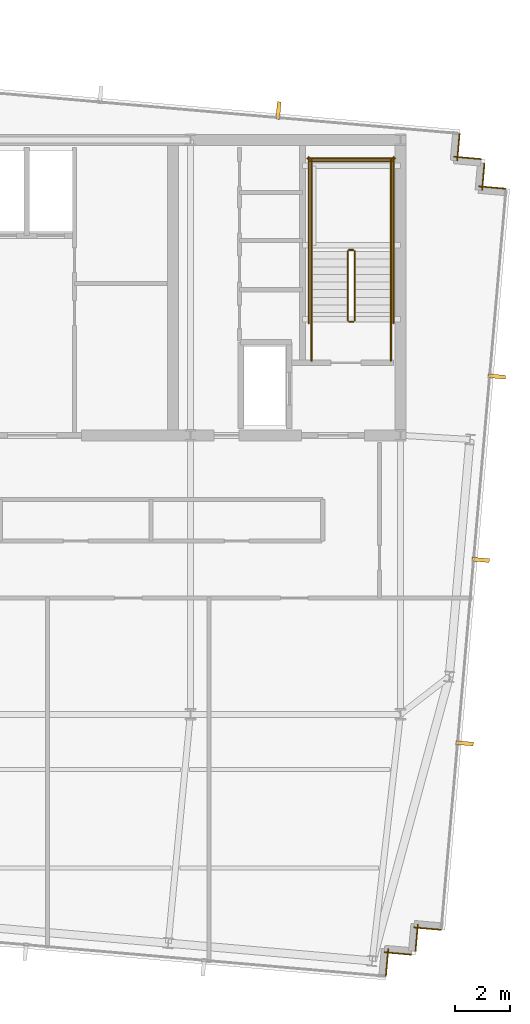
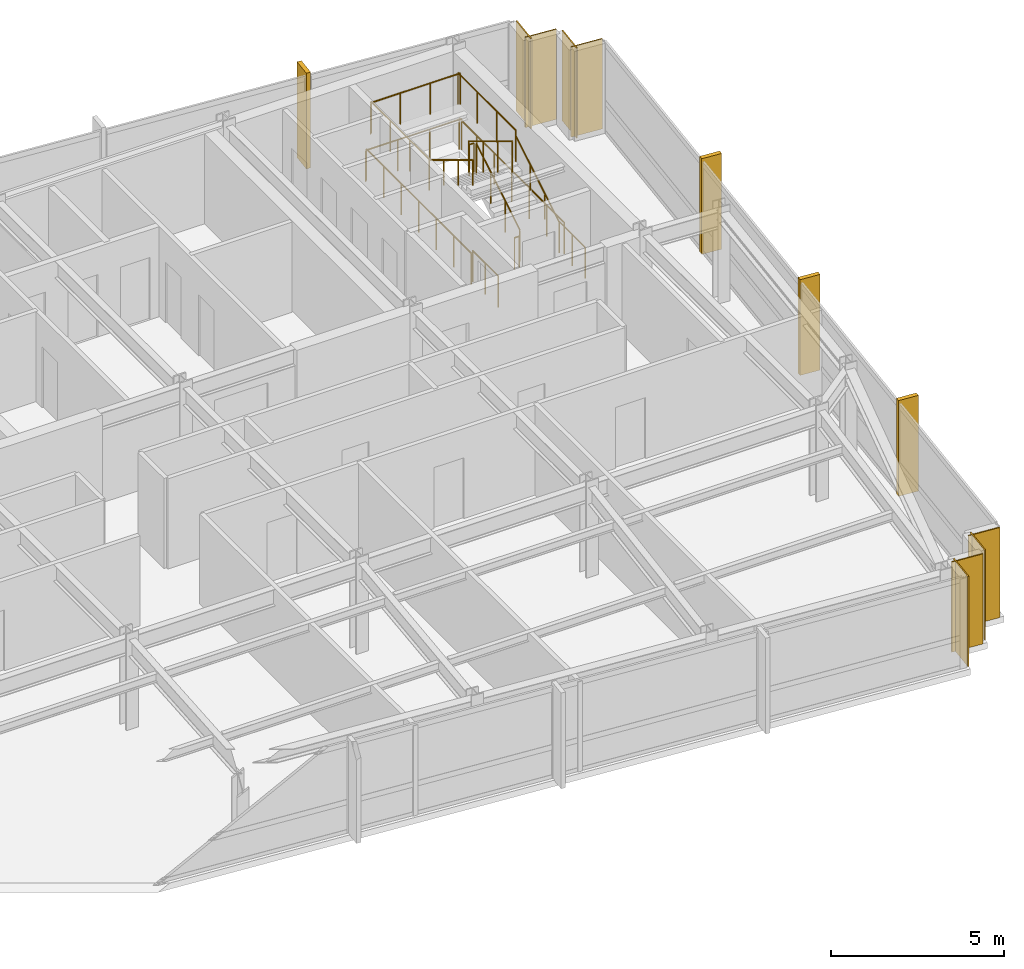
# One storey, part 23 of 24: 14 railings, 8 coverings, 4 shading devices.
"""IFC4 building model written with IfcOpenShell, lengths in metres."""

from ifc_helpers import new_model, si_unit, direction, frame, frame_2d, origin, origin_2d, place, context, subcontext, project, spatial, rectangle, circle, extrude, material, layer, layer_set, type_object, element, save


model = new_model("IFC4")

# Units and contexts
model_context = context("Model", 3, precision=1e-05, world=origin(), true_north=direction((0.0, 1.0)))
body_context = subcontext(model_context, "Body", "Model", "MODEL_VIEW")
ifc_project = project(units=[si_unit("LENGTHUNIT", "METRE"), si_unit("AREAUNIT", "SQUARE_METRE"), si_unit("VOLUMEUNIT", "CUBIC_METRE"), si_unit("PLANEANGLEUNIT", "RADIAN"), si_unit("MASSUNIT", "GRAM", prefix="KILO")], contexts=[model_context])

# Site, building, storey
site_placement = place(None, origin())
site = spatial("IfcSite", under=ifc_project, at=site_placement, CompositionType="ELEMENT")
building_placement = place(site_placement, origin())
building = spatial("IfcBuilding", under=site, at=building_placement, Name="Yelkora Congress Tower", CompositionType="ELEMENT")
storey_placement = place(building_placement, frame((0.0, 0.0, 296.5)))
storey = spatial("IfcBuildingStorey", under=building, at=storey_placement, Name="L83", CompositionType="ELEMENT", Elevation=296.5)

# Coverings
ifc_material_1 = material(Name="Anatolian bush-hammered limestone", Category="masonry")
ifc_layer_1 = layer(ifc_material_1, 0.0400390625)
ifc_layer_set_1 = layer_set([ifc_layer_1], Name="Anatolian bush-hammered limestone")
covering_type = type_object("IfcCoveringType", Name="COV-CLAD-SPANDREL-40", PredefinedType="CLADDING", material=ifc_layer_set_1)
for number, where, z_axis, x_axis, name in (
    (1, (55.92041015625, 46.431396484375, 0.0), (0.0, 0.0, 1.0), (-0.086903493655, -0.996216734848, 0.0), "L83 Anatolian Limestone Cladding EW-L83-SR11"),
    (2, (55.710693359375, 45.581298828125, 0.0), (0.0, 0.0, 1.0), (0.996193717496, -0.087166950281, 0.0), "L83 Anatolian Limestone Cladding EW-L83-SR12"),
    (3, (56.82958984375, 45.347900390625, 0.0), (0.0, 0.0, 1.0), (-0.087166950281, -0.996193717496, 0.0), "L83 Anatolian Limestone Cladding EW-L83-SR13"),
):
    element("IfcCovering", number, at=place(storey_placement, frame(where, z_axis=z_axis, x_axis=x_axis)), inside=storey, type_object=covering_type, Name=name, PredefinedType="CLADDING", context=body_context, shape_type="SweptSolid", body=[
        extrude(rectangle(XDim=1.0, YDim=0.0400390625, at=frame_2d((0.5, 0.0))), origin(), (0.0, 0.0, 1.0), 3.179931640625),
    ])
covering_1_placement = place(storey_placement, frame((56.61962890625, 44.498046875, 0.0), z_axis=(0.0, 0.0, 1.0), x_axis=(0.996195572005, -0.087145753297, 0.0)))
element("IfcCovering", 4, at=covering_1_placement, inside=storey, type_object=covering_type, Name="L83 Anatolian Limestone Cladding EW-L83-SR14", PredefinedType="CLADDING", context=body_context, shape_type="SweptSolid", body=[
    extrude(rectangle(XDim=1.000244140625, YDim=0.0400390625, at=frame_2d((0.5, 0.0))), origin(), (0.0, 0.0, 1.0), 3.179931640625),
])
for number, where, z_axis, x_axis, name in (
    (5, (55.24609375, 17.32421875, 0.0), (0.0, 0.0, 1.0), (-0.99617248636, 0.08740925248, 0.0), "L83 Anatolian Limestone Cladding EW-L83-SR16"),
    (6, (54.396240234375, 17.5341796875, 0.0), (0.0, 0.0, 1.0), (-0.087166950281, -0.996193717496, 0.0), "L83 Anatolian Limestone Cladding EW-L83-SR17"),
):
    element("IfcCovering", number, at=place(storey_placement, frame(where, z_axis=z_axis, x_axis=x_axis)), inside=storey, type_object=covering_type, Name=name, PredefinedType="CLADDING", context=body_context, shape_type="SweptSolid", body=[
        extrude(rectangle(XDim=1.0, YDim=0.0400390625, at=frame_2d((0.5, 0.0))), origin(), (0.0, 0.0, 1.0), 3.179931640625),
    ])
covering_2_placement = place(storey_placement, frame((54.162841796875, 16.415283203125, 0.0), z_axis=(0.0, 0.0, 1.0), x_axis=(-0.996195572005, 0.087145753297, 0.0)))
element("IfcCovering", 7, at=covering_2_placement, inside=storey, type_object=covering_type, Name="L83 Anatolian Limestone Cladding EW-L83-SR18", PredefinedType="CLADDING", context=body_context, shape_type="SweptSolid", body=[
    extrude(rectangle(XDim=1.000244140625, YDim=0.0400390625, at=frame_2d((0.5, 0.0))), origin(), (0.0, 0.0, 1.0), 3.179931640625),
])
covering_3_placement = place(storey_placement, frame((53.312744140625, 16.625, 0.0), z_axis=(0.0, 0.0, 1.0), x_axis=(-0.087166950281, -0.996193717496, 0.0)))
element("IfcCovering", 8, at=covering_3_placement, inside=storey, type_object=covering_type, Name="L83 Anatolian Limestone Cladding EW-L83-SR19", PredefinedType="CLADDING", context=body_context, shape_type="SweptSolid", body=[
    extrude(rectangle(XDim=1.0, YDim=0.0400390625, at=frame_2d((0.5, 0.0))), origin(), (0.0, 0.0, 1.0), 3.179931640625),
])

# Railings
ifc_material_2 = material(Name="Painted galvanised steel stair well guard with vertical infill", Category="steel")
ifc_layer_2 = layer(ifc_material_2, 0.06005859375)
ifc_layer_set_2 = layer_set([ifc_layer_2], Name="Painted galvanised steel stair well guard with vertical infill")
railing_type_1 = type_object("IfcRailingType", Name="RAIL-STAIR-GUARD-1120", PredefinedType="GUARDRAIL", material=ifc_layer_set_2)
railing_1_placement = place(storey_placement, frame((52.090087890625, 39.60009765625, 0.169921875)))
element("IfcRailing", 9, at=railing_1_placement, inside=storey, type_object=railing_type_1, Name="ST-02 L83 Stair Well Guardrail 1", PredefinedType="GUARDRAIL", context=body_context, shape_type="SweptSolid", body=[
    extrude(circle(Radius=0.02392578125, at=origin_2d()), frame((0.0, 0.0, 1.09619140625), z_axis=(0.0, 0.85478489116, 0.518982456201), x_axis=(-1.0, 0.0, 0.0)), (0.0, 0.0, 1.0), 2.9482421875),
    extrude(circle(Radius=0.02099609375, at=origin_2d()), origin(), (0.0, 0.0, 1.0), 1.072021484375),
    extrude(circle(Radius=0.02099609375, at=origin_2d()), frame((0.0, 0.840087890625, 0.510009765625)), (0.0, 0.0, 1.0), 1.072021484375),
    extrude(circle(Radius=0.02099609375, at=origin_2d()), frame((0.0, 1.679931640625, 1.02001953125)), (0.0, 0.0, 1.0), 1.072021484375),
    extrude(circle(Radius=0.02099609375, at=origin_2d()), frame((0.0, 2.52001953125, 1.530029296875)), (0.0, 0.0, 1.0), 1.072021484375),
])
railing_2_placement = place(storey_placement, frame((52.0400390625, 42.169921875, 1.699951171875)))
element("IfcRailing", 10, at=railing_2_placement, inside=storey, type_object=railing_type_1, Name="ST-02 L83 Stair Well Guardrail 2", PredefinedType="GUARDRAIL", context=body_context, shape_type="SweptSolid", body=[
    extrude(circle(Radius=0.02392578125, at=origin_2d()), frame((0.0, 0.0, 1.09619140625), z_axis=(-1.0, 0.0, 0.0), x_axis=(0.0, -1.0, 0.0)), (0.0, 0.0, 1.0), 0.16015625),
    extrude(circle(Radius=0.02099609375, at=origin_2d()), origin(), (0.0, 0.0, 1.0), 1.072021484375),
    extrude(circle(Radius=0.02099609375, at=origin_2d()), frame((-0.16015625, 0.0, 0.0)), (0.0, 0.0, 1.0), 1.072021484375),
])
for number, where, name in (
    (11, (53.409912109375, 42.1201171875, 1.699951171875), "ST-02 L83 Stair Well Guardrail 3"),
    (12, (50.510009765625, 42.1201171875, 1.699951171875), "ST-02 L83 Stair Well Guardrail 4"),
):
    element("IfcRailing", number, at=place(storey_placement, frame(where)), inside=storey, type_object=railing_type_1, Name=name, PredefinedType="GUARDRAIL", context=body_context, shape_type="SweptSolid", body=[
        extrude(circle(Radius=0.02392578125, at=origin_2d()), frame((0.0, 0.0, 1.09619140625), z_axis=(0.0, 1.0, 0.0), x_axis=(-1.0, 0.0, 0.0)), (0.0, 0.0, 1.0), 3.349853515625),
        extrude(circle(Radius=0.02099609375, at=origin_2d()), origin(), (0.0, 0.0, 1.0), 1.072021484375),
        extrude(circle(Radius=0.02099609375, at=origin_2d()), frame((0.0, 1.11669921875, 0.0)), (0.0, 0.0, 1.0), 1.072021484375),
        extrude(circle(Radius=0.02099609375, at=origin_2d()), frame((0.0, 2.233154296875, 0.0)), (0.0, 0.0, 1.0), 1.072021484375),
        extrude(circle(Radius=0.02099609375, at=origin_2d()), frame((0.0, 3.349853515625, 0.0)), (0.0, 0.0, 1.0), 1.072021484375),
    ])
railing_3_placement = place(storey_placement, frame((53.4599609375, 45.419921875, 1.699951171875)))
element("IfcRailing", 13, at=railing_3_placement, inside=storey, type_object=railing_type_1, Name="ST-02 L83 Stair Well Guardrail 5", PredefinedType="GUARDRAIL", context=body_context, shape_type="SweptSolid", body=[
    extrude(circle(Radius=0.02392578125, at=origin_2d()), frame((0.0, 0.0, 1.09619140625), z_axis=(-1.0, 0.0, 0.0), x_axis=(0.0, -1.0, 0.0)), (0.0, 0.0, 1.0), 3.0),
    extrude(circle(Radius=0.02099609375, at=origin_2d()), origin(), (0.0, 0.0, 1.0), 1.072021484375),
    extrude(circle(Radius=0.02099609375, at=origin_2d()), frame((-1.0, 0.0, 0.0)), (0.0, 0.0, 1.0), 1.072021484375),
    extrude(circle(Radius=0.02099609375, at=origin_2d()), frame((-2.0, 0.0, 0.0)), (0.0, 0.0, 1.0), 1.072021484375),
    extrude(circle(Radius=0.02099609375, at=origin_2d()), frame((-3.0, 0.0, 0.0)), (0.0, 0.0, 1.0), 1.072021484375),
])
railing_4_placement = place(storey_placement, frame((51.830078125, 42.1201171875, 1.8701171875)))
element("IfcRailing", 14, at=railing_4_placement, inside=storey, type_object=railing_type_1, Name="ST-02 L83 Stair Well Guardrail 6", PredefinedType="GUARDRAIL", context=body_context, shape_type="SweptSolid", body=[
    extrude(circle(Radius=0.02392578125, at=origin_2d()), frame((0.0, 0.0, 1.09619140625), z_axis=(0.0, -0.854821627497, 0.518921945155), x_axis=(1.0, 0.0, 0.0)), (0.0, 0.0, 1.0), 2.947998046875),
    extrude(circle(Radius=0.02099609375, at=origin_2d()), origin(), (0.0, 0.0, 1.0), 1.072021484375),
    extrude(circle(Radius=0.02099609375, at=origin_2d()), frame((0.0, -0.840087890625, 0.510009765625)), (0.0, 0.0, 1.0), 1.072021484375),
    extrude(circle(Radius=0.02099609375, at=origin_2d()), frame((0.0, -1.679931640625, 1.019775390625)), (0.0, 0.0, 1.0), 1.072021484375),
    extrude(circle(Radius=0.02099609375, at=origin_2d()), frame((0.0, -2.52001953125, 1.52978515625)), (0.0, 0.0, 1.0), 1.072021484375),
])
railing_5_placement = place(storey_placement, frame((52.0400390625, 39.550048828125, 0.0)))
element("IfcRailing", 15, at=railing_5_placement, inside=storey, type_object=railing_type_1, Name="ST-02 L83 Stair Well Guardrail 7", PredefinedType="GUARDRAIL", context=body_context, shape_type="SweptSolid", body=[
    extrude(circle(Radius=0.02392578125, at=origin_2d()), frame((0.0, 0.0, 1.09619140625), z_axis=(-1.0, 0.0, 0.0), x_axis=(0.0, -1.0, 0.0)), (0.0, 0.0, 1.0), 0.16015625),
    extrude(circle(Radius=0.02099609375, at=origin_2d()), origin(), (0.0, 0.0, 1.0), 1.072021484375),
    extrude(circle(Radius=0.02099609375, at=origin_2d()), frame((-0.16015625, 0.0, 0.0)), (0.0, 0.0, 1.0), 1.072021484375),
])
for number, where, name in (
    (16, (53.409912109375, 38.1201171875, 0.0), "ST-02 L83 Stair Well Guardrail 8"),
    (17, (50.510009765625, 38.1201171875, 0.0), "ST-02 L83 Stair Well Guardrail 9"),
):
    element("IfcRailing", number, at=place(storey_placement, frame(where)), inside=storey, type_object=railing_type_1, Name=name, PredefinedType="GUARDRAIL", context=body_context, shape_type="SweptSolid", body=[
        extrude(circle(Radius=0.02392578125, at=origin_2d()), frame((0.0, 0.0, 1.09619140625), z_axis=(0.0, 1.0, 0.0), x_axis=(-1.0, 0.0, 0.0)), (0.0, 0.0, 1.0), 1.47998046875),
        extrude(circle(Radius=0.02099609375, at=origin_2d()), origin(), (0.0, 0.0, 1.0), 1.072021484375),
        extrude(circle(Radius=0.02099609375, at=origin_2d()), frame((0.0, 0.739990234375, 0.0)), (0.0, 0.0, 1.0), 1.072021484375),
        extrude(circle(Radius=0.02099609375, at=origin_2d()), frame((0.0, 1.47998046875, 0.0)), (0.0, 0.0, 1.0), 1.072021484375),
    ])
for number, where, name in (
    (18, (53.510009765625, 39.5, 0.0), "ST-02 L83 Stair Well Guardrail 10"),
    (19, (50.409912109375, 39.5, 0.0), "ST-02 L83 Stair Well Guardrail 11"),
):
    element("IfcRailing", number, at=place(storey_placement, frame(where)), inside=storey, type_object=railing_type_1, Name=name, PredefinedType="GUARDRAIL", context=body_context, shape_type="SweptSolid", body=[
        extrude(circle(Radius=0.02392578125, at=origin_2d()), frame((0.0, 0.0, 1.09619140625), z_axis=(0.0, 1.0, 0.0), x_axis=(-1.0, 0.0, 0.0)), (0.0, 0.0, 1.0), 6.070068359375),
        extrude(circle(Radius=0.02099609375, at=origin_2d()), origin(), (0.0, 0.0, 1.0), 1.072021484375),
        extrude(circle(Radius=0.02099609375, at=origin_2d()), frame((0.0, 1.01171875, 0.0)), (0.0, 0.0, 1.0), 1.072021484375),
        extrude(circle(Radius=0.02099609375, at=origin_2d()), frame((0.0, 2.0234375, 0.0)), (0.0, 0.0, 1.0), 1.072021484375),
        extrude(circle(Radius=0.02099609375, at=origin_2d()), frame((0.0, 3.03515625, 0.0)), (0.0, 0.0, 1.0), 1.072021484375),
        extrude(circle(Radius=0.02099609375, at=origin_2d()), frame((0.0, 4.046630859375, 0.0)), (0.0, 0.0, 1.0), 1.072021484375),
        extrude(circle(Radius=0.02099609375, at=origin_2d()), frame((0.0, 5.058349609375, 0.0)), (0.0, 0.0, 1.0), 1.072021484375),
        extrude(circle(Radius=0.02099609375, at=origin_2d()), frame((0.0, 6.070068359375, 0.0)), (0.0, 0.0, 1.0), 1.072021484375),
    ])
railing_6_placement = place(storey_placement, frame((53.56005859375, 45.52001953125, 0.0)))
element("IfcRailing", 20, at=railing_6_placement, inside=storey, type_object=railing_type_1, Name="ST-02 L83 Stair Well Guardrail 12", PredefinedType="GUARDRAIL", context=body_context, shape_type="SweptSolid", body=[
    extrude(circle(Radius=0.02392578125, at=origin_2d()), frame((0.0, 0.0, 1.09619140625), z_axis=(-1.0, 0.0, 0.0), x_axis=(0.0, -1.0, 0.0)), (0.0, 0.0, 1.0), 3.199951171875),
    extrude(circle(Radius=0.02099609375, at=origin_2d()), origin(), (0.0, 0.0, 1.0), 1.072021484375),
    extrude(circle(Radius=0.02099609375, at=origin_2d()), frame((-1.066650390625, 0.0, 0.0)), (0.0, 0.0, 1.0), 1.072021484375),
    extrude(circle(Radius=0.02099609375, at=origin_2d()), frame((-2.13330078125, 0.0, 0.0)), (0.0, 0.0, 1.0), 1.072021484375),
    extrude(circle(Radius=0.02099609375, at=origin_2d()), frame((-3.199951171875, 0.0, 0.0)), (0.0, 0.0, 1.0), 1.072021484375),
])
ifc_material_3 = material(Name="Brushed stainless steel tubular handrail", Category="steel")
ifc_layer_3 = layer(ifc_material_3, 0.050048828125)
ifc_layer_set_3 = layer_set([ifc_layer_3], Name="Brushed stainless steel tubular handrail")
railing_type_2 = type_object("IfcRailingType", Name="RAIL-STAIR-HAND-920", PredefinedType="HANDRAIL", material=ifc_layer_set_3)
railing_7_placement = place(storey_placement, frame((53.409912109375, 39.60009765625, 0.169921875)))
element("IfcRailing", 21, at=railing_7_placement, inside=storey, type_object=railing_type_2, Name="ST-02 L83 Pitch Handrail 1", PredefinedType="HANDRAIL", context=body_context, shape_type="SweptSolid", body=[
    extrude(circle(Radius=0.02392578125, at=origin_2d()), frame((0.0, 0.0, 0.89599609375), z_axis=(0.0, 0.85478489116, 0.518982456201), x_axis=(-1.0, 0.0, 0.0)), (0.0, 0.0, 1.0), 2.9482421875),
    extrude(circle(Radius=0.02099609375, at=origin_2d()), origin(), (0.0, 0.0, 1.0), 0.871826171875),
    extrude(circle(Radius=0.02099609375, at=origin_2d()), frame((0.0, 0.840087890625, 0.510009765625)), (0.0, 0.0, 1.0), 0.871826171875),
    extrude(circle(Radius=0.02099609375, at=origin_2d()), frame((0.0, 1.679931640625, 1.02001953125)), (0.0, 0.0, 1.0), 0.871826171875),
    extrude(circle(Radius=0.02099609375, at=origin_2d()), frame((0.0, 2.52001953125, 1.530029296875)), (0.0, 0.0, 1.0), 0.871826171875),
])
railing_8_placement = place(storey_placement, frame((50.510009765625, 42.1201171875, 1.8701171875)))
element("IfcRailing", 22, at=railing_8_placement, inside=storey, type_object=railing_type_2, Name="ST-02 L83 Pitch Handrail 2", PredefinedType="HANDRAIL", context=body_context, shape_type="SweptSolid", body=[
    extrude(circle(Radius=0.02392578125, at=origin_2d()), frame((0.0, 0.0, 0.89599609375), z_axis=(0.0, -0.854821627497, 0.518921945155), x_axis=(1.0, 0.0, 0.0)), (0.0, 0.0, 1.0), 2.947998046875),
    extrude(circle(Radius=0.02099609375, at=origin_2d()), origin(), (0.0, 0.0, 1.0), 0.871826171875),
    extrude(circle(Radius=0.02099609375, at=origin_2d()), frame((0.0, -0.840087890625, 0.510009765625)), (0.0, 0.0, 1.0), 0.871826171875),
    extrude(circle(Radius=0.02099609375, at=origin_2d()), frame((0.0, -1.679931640625, 1.019775390625)), (0.0, 0.0, 1.0), 0.871826171875),
    extrude(circle(Radius=0.02099609375, at=origin_2d()), frame((0.0, -2.52001953125, 1.52978515625)), (0.0, 0.0, 1.0), 0.871826171875),
])

# Shading devices
ifc_material_4 = material(Name="Champagne anodised aluminium", Category="aluminium")
ifc_layer_4 = layer(ifc_material_4, 3.39990234375)
ifc_layer_set_4 = layer_set([ifc_layer_4], Name="Champagne anodised aluminium")
shading_device_type = type_object("IfcShadingDeviceType", Name="SHD-FIN-ALU-640", PredefinedType="USERDEFINED", material=ifc_layer_set_4)
for number, where, z_axis, x_axis, name in (
    (23, (49.302001953125, 47.271240234375, -0.030029296875), (0.0, 0.0, 1.0), (0.996194698092, -0.087155742748, 0.0), "L83 Vertical Anodised Solar Fin 10-6"),
    (24, (57.276611328125, 37.54931640625, -0.030029296875), (0.0, 0.0, 1.0), (-0.087155742748, -0.996194698092, 0.0), "L83 Vertical Anodised Solar Fin 15-1"),
    (25, (56.68994140625, 30.844970703125, -0.030029296875), (0.0, 0.0, 1.0), (-0.087155742748, -0.996194698092, 0.0), "L83 Vertical Anodised Solar Fin 15-2"),
    (26, (56.103515625, 24.140380859375, -0.030029296875), (0.0, 0.0, 1.0), (-0.087155742748, -0.996194698092, 0.0), "L83 Vertical Anodised Solar Fin 15-3"),
):
    element("IfcShadingDevice", number, at=place(storey_placement, frame(where, z_axis=z_axis, x_axis=x_axis)), inside=storey, type_object=shading_device_type, Name=name, ObjectType="FIN", PredefinedType="USERDEFINED", context=body_context, shape_type="SweptSolid", body=[
        extrude(rectangle(XDim=0.139892578125, YDim=0.639892578125, at=origin_2d()), origin(), (0.0, 0.0, 1.0), 3.3798828125),
    ])

save(model, "model.ifc")
